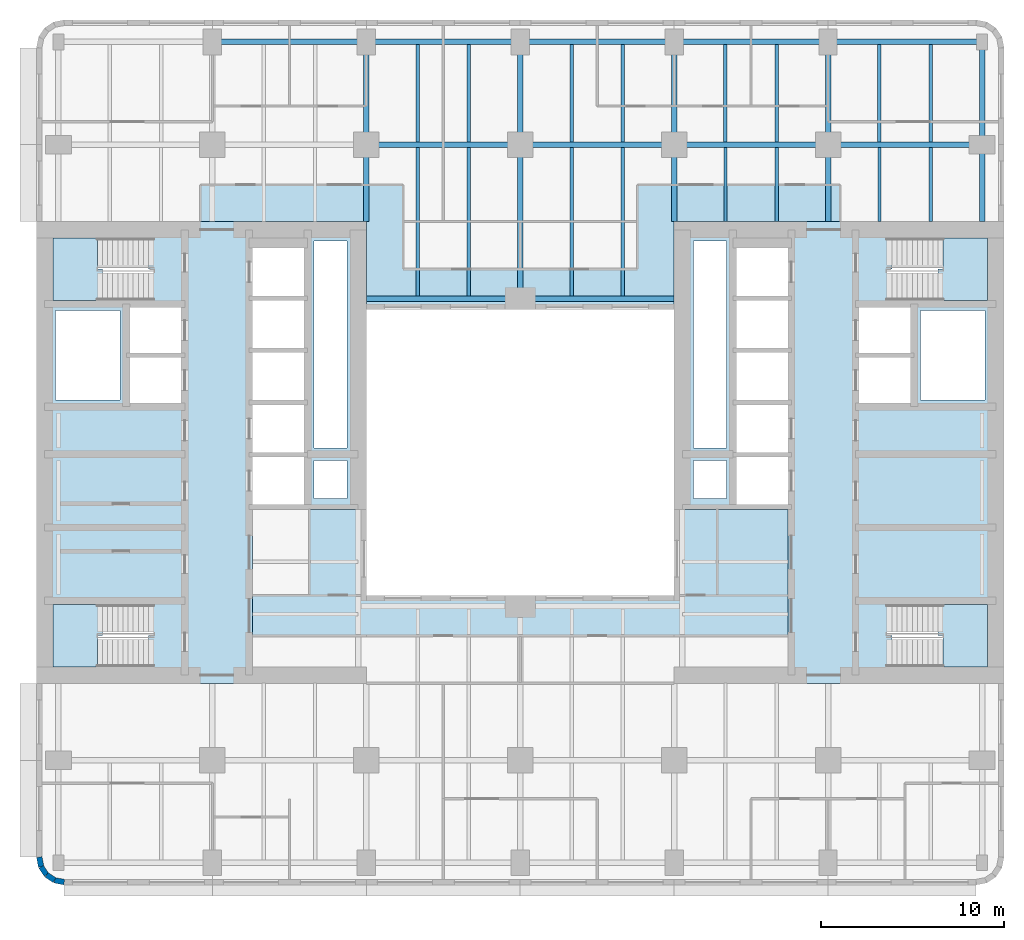
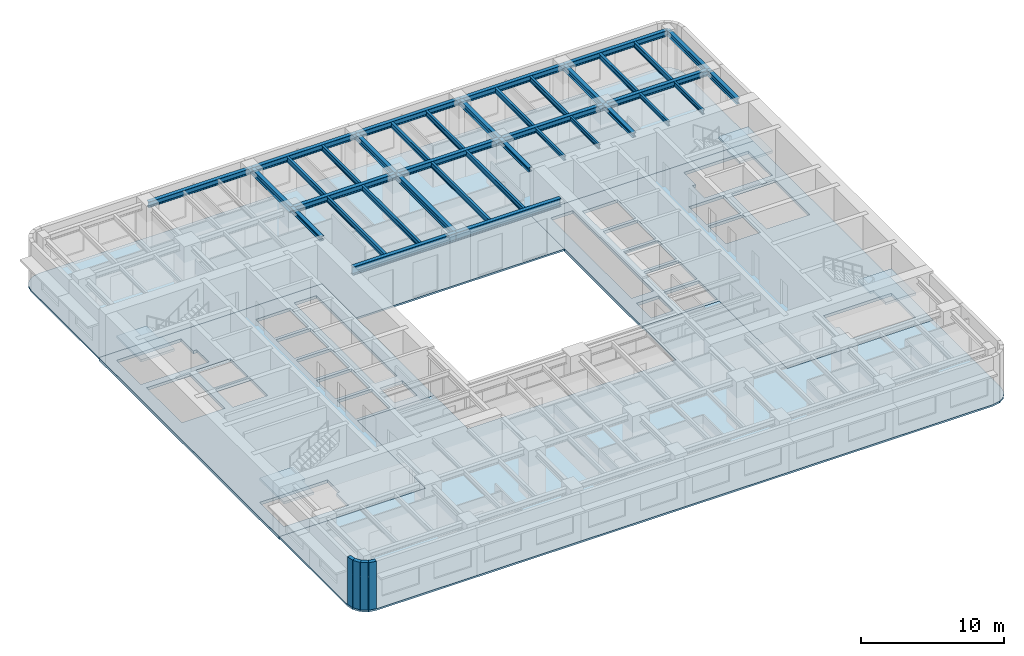
# One storey, part 2 of 11: 37 beams, 8 slabs, 4 walls, 4 elements without a shape of their own.
"""IFC4 building model written with IfcOpenShell, lengths in metres."""

from ifc_helpers import new_model, si_unit, direction, frame, frame_2d, origin, origin_2d, place, context, subcontext, project, spatial, polyline, rectangle, i_section, outline, extrude, material, layer, layer_set, material_profile, profile_set, type_object, element, aggregate, save


model = new_model("IFC4")

# Units and contexts
model_context = context("Model", 3, precision=1e-05, world=origin(), true_north=direction((0.0, 1.0)))
body_context = subcontext(model_context, "Body", "Model", "MODEL_VIEW")
ifc_project = project(units=[si_unit("LENGTHUNIT", "METRE"), si_unit("AREAUNIT", "SQUARE_METRE"), si_unit("VOLUMEUNIT", "CUBIC_METRE"), si_unit("PLANEANGLEUNIT", "RADIAN"), si_unit("MASSUNIT", "GRAM", prefix="KILO")], contexts=[model_context])

# Site, building, storey
site_placement = place(None, origin())
site = spatial("IfcSite", under=ifc_project, at=site_placement, CompositionType="ELEMENT")
building_placement = place(site_placement, origin())
building = spatial("IfcBuilding", under=site, at=building_placement, Name="Claustro Exchange Tower", CompositionType="ELEMENT")
storey_placement = place(building_placement, frame((0.0, 0.0, 155.39990234375)))
storey = spatial("IfcBuildingStorey", under=building, at=storey_placement, Name="L35", CompositionType="ELEMENT", Elevation=155.39990234375)

# Beams
ifc_material_1 = material(Name="Steel S355", Category="steel")
ifc_material_profile_1 = material_profile(ifc_material_1, i_section(OverallWidth=0.300048828125, OverallDepth=0.68994140625, WebThickness=0.014404296875, FlangeThickness=0.027099609375, FilletRadius=0.027099609375, at=origin_2d()), Name="HE 700 A")
ifc_profile_set_1 = profile_set([ifc_material_profile_1], Name="Steel S355")
beam_type_1 = type_object("IfcBeamType", Name="B13 HE 700 A light well edge girder", PredefinedType="BEAM", material=ifc_profile_set_1)
beam_1_placement = place(storey_placement, frame((16.800048828125, 33.60009765625, 3.705078125), z_axis=(1.0, 0.0, 0.0), x_axis=(0.0, 1.0, 0.0)))
element("IfcBeam", 1, at=beam_1_placement, inside=storey, type_object=beam_type_1, Name="Beam B13 L36", PredefinedType="BEAM", context=body_context, shape_type="SweptSolid", body=[
    extrude(i_section(OverallWidth=0.300048828125, OverallDepth=0.68994140625, WebThickness=0.014404296875, FlangeThickness=0.027099609375, FilletRadius=0.027099609375, at=origin_2d()), origin(), (0.0, 0.0, 1.0), 8.39990234375),
])
beam_2_placement = place(storey_placement, frame((25.199951171875, 33.60009765625, 3.705078125), z_axis=(1.0, 0.0, 0.0), x_axis=(0.0, 1.0, 0.0)))
element("IfcBeam", 2, at=beam_2_placement, inside=storey, type_object=beam_type_1, Name="Beam B13 L36", PredefinedType="BEAM", context=body_context, shape_type="SweptSolid", body=[
    extrude(i_section(OverallWidth=0.300048828125, OverallDepth=0.68994140625, WebThickness=0.014404296875, FlangeThickness=0.027099609375, FilletRadius=0.027099609375, at=origin_2d()), origin(), (0.0, 0.0, 1.0), 8.400146484375),
])
ifc_material_2 = material(Name="Steel S355", Category="steel")
ifc_material_profile_2 = material_profile(ifc_material_2, i_section(OverallWidth=0.169921875, OverallDepth=0.360107421875, WebThickness=0.008056640625, FlangeThickness=0.0126953125, FilletRadius=0.01806640625, at=origin_2d()), Name="IPE 360")
ifc_profile_set_2 = profile_set([ifc_material_profile_2], Name="Steel S355")
beam_type_2 = type_object("IfcBeamType", Name="B16 IPE 360 short-span beam", PredefinedType="BEAM", material=ifc_profile_set_2)
for number, where, z_axis, x_axis, name in (
    (3, (36.39990234375, 37.7900390625, 3.8701171875), (0.0, 1.0, 0.0), (-1.0, 0.0, 0.0), "Beam B16 L36"),
    (4, (39.199951171875, 37.7900390625, 3.8701171875), (0.0, 1.0, 0.0), (-1.0, 0.0, 0.0), "Beam B16 L36"),
    (5, (44.800048828125, 37.7900390625, 3.8701171875), (0.0, 1.0, 0.0), (-1.0, 0.0, 0.0), "Beam B16 L36"),
    (6, (47.60009765625, 37.7900390625, 3.8701171875), (0.0, 1.0, 0.0), (-1.0, 0.0, 0.0), "Beam B16 L36"),
):
    element("IfcBeam", number, at=place(storey_placement, frame(where, z_axis=z_axis, x_axis=x_axis)), inside=storey, type_object=beam_type_2, Name=name, PredefinedType="BEAM", context=body_context, shape_type="SweptSolid", body=[
        extrude(i_section(OverallWidth=0.169921875, OverallDepth=0.360107421875, WebThickness=0.008056640625, FlangeThickness=0.0126953125, FilletRadius=0.01806640625, at=origin_2d()), origin(), (0.0, 0.0, 1.0), 4.06005859375),
    ])
ifc_material_3 = material(Name="Steel S355", Category="steel")
ifc_material_profile_3 = material_profile(ifc_material_3, i_section(OverallWidth=0.300048828125, OverallDepth=0.360107421875, WebThickness=0.012451171875, FlangeThickness=0.0224609375, FilletRadius=0.027099609375, at=origin_2d()), Name="HE 360 B")
ifc_profile_set_3 = profile_set([ifc_material_profile_3], Name="Steel S355")
beam_type_3 = type_object("IfcBeamType", Name="B29 HE 360 B column to core link beam", PredefinedType="BEAM", material=ifc_profile_set_3)
for number, where, z_axis, x_axis, name in (
    (7, (16.800048828125, 37.800048828125, 3.8701171875), (0.0, 1.0, 0.0), (-1.0, 0.0, 0.0), "Beam B29 L36"),
    (8, (33.60009765625, 37.800048828125, 3.8701171875), (0.0, 1.0, 0.0), (-1.0, 0.0, 0.0), "Beam B29 L36"),
    (9, (42.0, 37.800048828125, 3.8701171875), (0.0, 1.0, 0.0), (-1.0, 0.0, 0.0), "Beam B29 L36"),
):
    element("IfcBeam", number, at=place(storey_placement, frame(where, z_axis=z_axis, x_axis=x_axis)), inside=storey, type_object=beam_type_3, Name=name, PredefinedType="BEAM", context=body_context, shape_type="SweptSolid", body=[
        extrude(i_section(OverallWidth=0.300048828125, OverallDepth=0.360107421875, WebThickness=0.012451171875, FlangeThickness=0.0224609375, FilletRadius=0.027099609375, at=origin_2d()), origin(), (0.0, 0.0, 1.0), 4.199951171875),
    ])
ifc_material_4 = material(Name="Steel S355", Category="steel")
ifc_material_profile_4 = material_profile(ifc_material_4, i_section(OverallWidth=0.300048828125, OverallDepth=0.5, WebThickness=0.014404296875, FlangeThickness=0.028076171875, FilletRadius=0.027099609375, at=origin_2d()), Name="HE 500 B")
ifc_profile_set_4 = profile_set([ifc_material_profile_4], Name="Steel S355")
beam_type_4 = type_object("IfcBeamType", Name="B7 HE 500 B floor girder", PredefinedType="BEAM", material=ifc_profile_set_4)
beam_3_placement = place(storey_placement, frame((16.800048828125, 42.0, 3.800048828125), z_axis=(0.0, 1.0, 0.0), x_axis=(-1.0, 0.0, 0.0)))
element("IfcBeam", 10, at=beam_3_placement, inside=storey, type_object=beam_type_4, Name="Beam B7 L36", PredefinedType="BEAM", context=body_context, shape_type="SweptSolid", body=[
    extrude(i_section(OverallWidth=0.300048828125, OverallDepth=0.5, WebThickness=0.014404296875, FlangeThickness=0.028076171875, FilletRadius=0.027099609375, at=origin_2d()), origin(), (0.0, 0.0, 1.0), 5.60009765625),
])
beam_4_placement = place(storey_placement, frame((25.199951171875, 33.60009765625, 3.800048828125), z_axis=(0.0, 1.0, 0.0), x_axis=(-1.0, 0.0, 0.0)))
element("IfcBeam", 11, at=beam_4_placement, inside=storey, type_object=beam_type_4, Name="Beam B7 L36", PredefinedType="BEAM", context=body_context, shape_type="SweptSolid", body=[
    extrude(i_section(OverallWidth=0.300048828125, OverallDepth=0.5, WebThickness=0.014404296875, FlangeThickness=0.028076171875, FilletRadius=0.027099609375, at=origin_2d()), origin(), (0.0, 0.0, 1.0), 8.39990234375),
])
for number, where, z_axis, x_axis, name in (
    (12, (25.199951171875, 42.0, 3.800048828125), (0.0, 1.0, 0.0), (-1.0, 0.0, 0.0), "Beam B7 L36"),
    (13, (33.60009765625, 42.0, 3.800048828125), (0.0, 1.0, 0.0), (-1.0, 0.0, 0.0), "Beam B7 L36"),
    (14, (42.0, 42.0, 3.800048828125), (0.0, 1.0, 0.0), (-1.0, 0.0, 0.0), "Beam B7 L36"),
):
    element("IfcBeam", number, at=place(storey_placement, frame(where, z_axis=z_axis, x_axis=x_axis)), inside=storey, type_object=beam_type_4, Name=name, PredefinedType="BEAM", context=body_context, shape_type="SweptSolid", body=[
        extrude(i_section(OverallWidth=0.300048828125, OverallDepth=0.5, WebThickness=0.014404296875, FlangeThickness=0.028076171875, FilletRadius=0.027099609375, at=origin_2d()), origin(), (0.0, 0.0, 1.0), 5.60009765625),
    ])
beam_5_placement = place(storey_placement, frame((16.800048828125, 42.0, 3.800048828125), z_axis=(1.0, 0.0, 0.0), x_axis=(0.0, 1.0, 0.0)))
element("IfcBeam", 15, at=beam_5_placement, inside=storey, type_object=beam_type_4, Name="Beam B7 L36", PredefinedType="BEAM", context=body_context, shape_type="SweptSolid", body=[
    extrude(i_section(OverallWidth=0.300048828125, OverallDepth=0.5, WebThickness=0.014404296875, FlangeThickness=0.028076171875, FilletRadius=0.027099609375, at=origin_2d()), origin(), (0.0, 0.0, 1.0), 8.39990234375),
])
beam_6_placement = place(storey_placement, frame((25.199951171875, 42.0, 3.800048828125), z_axis=(1.0, 0.0, 0.0), x_axis=(0.0, 1.0, 0.0)))
element("IfcBeam", 16, at=beam_6_placement, inside=storey, type_object=beam_type_4, Name="Beam B7 L36", PredefinedType="BEAM", context=body_context, shape_type="SweptSolid", body=[
    extrude(i_section(OverallWidth=0.300048828125, OverallDepth=0.5, WebThickness=0.014404296875, FlangeThickness=0.028076171875, FilletRadius=0.027099609375, at=origin_2d()), origin(), (0.0, 0.0, 1.0), 8.400146484375),
])
for number, where, z_axis, x_axis, name in (
    (17, (33.60009765625, 42.0, 3.800048828125), (1.0, 0.0, 0.0), (0.0, 1.0, 0.0), "Beam B7 L36"),
    (18, (42.0, 42.0, 3.800048828125), (1.0, 0.0, 0.0), (0.0, 1.0, 0.0), "Beam B7 L36"),
):
    element("IfcBeam", number, at=place(storey_placement, frame(where, z_axis=z_axis, x_axis=x_axis)), inside=storey, type_object=beam_type_4, Name=name, PredefinedType="BEAM", context=body_context, shape_type="SweptSolid", body=[
        extrude(i_section(OverallWidth=0.300048828125, OverallDepth=0.5, WebThickness=0.014404296875, FlangeThickness=0.028076171875, FilletRadius=0.027099609375, at=origin_2d()), origin(), (0.0, 0.0, 1.0), 8.39990234375),
    ])
ifc_material_5 = material(Name="Steel S355", Category="steel")
ifc_material_profile_5 = material_profile(ifc_material_5, i_section(OverallWidth=0.18994140625, OverallDepth=0.449951171875, WebThickness=0.009521484375, FlangeThickness=0.0146484375, FilletRadius=0.02099609375, at=origin_2d()), Name="IPE 450")
ifc_profile_set_5 = profile_set([ifc_material_profile_5], Name="Steel S355")
beam_type_5 = type_object("IfcBeamType", Name="B8 IPE 450 secondary beam", PredefinedType="BEAM", material=ifc_profile_set_5)
for number, where, z_axis, x_axis, name in (
    (19, (19.60009765625, 33.75, 3.8251953125), (0.0, 1.0, 0.0), (-1.0, 0.0, 0.0), "Beam B8 L36"),
    (20, (22.39990234375, 33.75, 3.8251953125), (0.0, 1.0, 0.0), (-1.0, 0.0, 0.0), "Beam B8 L36"),
):
    element("IfcBeam", number, at=place(storey_placement, frame(where, z_axis=z_axis, x_axis=x_axis)), inside=storey, type_object=beam_type_5, Name=name, PredefinedType="BEAM", context=body_context, shape_type="SweptSolid", body=[
        extrude(i_section(OverallWidth=0.18994140625, OverallDepth=0.449951171875, WebThickness=0.009521484375, FlangeThickness=0.0146484375, FilletRadius=0.02099609375, at=origin_2d()), origin(), (0.0, 0.0, 1.0), 8.10009765625),
    ])
for number, where, z_axis, x_axis, name in (
    (21, (19.60009765625, 42.14990234375, 3.8251953125), (0.0, 1.0, 0.0), (-1.0, 0.0, 0.0), "Beam B8 L36"),
    (22, (22.39990234375, 42.14990234375, 3.8251953125), (0.0, 1.0, 0.0), (-1.0, 0.0, 0.0), "Beam B8 L36"),
):
    element("IfcBeam", number, at=place(storey_placement, frame(where, z_axis=z_axis, x_axis=x_axis)), inside=storey, type_object=beam_type_5, Name=name, PredefinedType="BEAM", context=body_context, shape_type="SweptSolid", body=[
        extrude(i_section(OverallWidth=0.18994140625, OverallDepth=0.449951171875, WebThickness=0.009521484375, FlangeThickness=0.0146484375, FilletRadius=0.02099609375, at=origin_2d()), origin(), (0.0, 0.0, 1.0), 5.300048828125),
    ])
for number, where, z_axis, x_axis, name in (
    (23, (28.0, 33.75, 3.8251953125), (0.0, 1.0, 0.0), (-1.0, 0.0, 0.0), "Beam B8 L36"),
    (24, (30.800048828125, 33.75, 3.8251953125), (0.0, 1.0, 0.0), (-1.0, 0.0, 0.0), "Beam B8 L36"),
):
    element("IfcBeam", number, at=place(storey_placement, frame(where, z_axis=z_axis, x_axis=x_axis)), inside=storey, type_object=beam_type_5, Name=name, PredefinedType="BEAM", context=body_context, shape_type="SweptSolid", body=[
        extrude(i_section(OverallWidth=0.18994140625, OverallDepth=0.449951171875, WebThickness=0.009521484375, FlangeThickness=0.0146484375, FilletRadius=0.02099609375, at=origin_2d()), origin(), (0.0, 0.0, 1.0), 8.10009765625),
    ])
for number, where, z_axis, x_axis, name in (
    (25, (28.0, 42.14990234375, 3.8251953125), (0.0, 1.0, 0.0), (-1.0, 0.0, 0.0), "Beam B8 L36"),
    (26, (30.800048828125, 42.14990234375, 3.8251953125), (0.0, 1.0, 0.0), (-1.0, 0.0, 0.0), "Beam B8 L36"),
    (27, (36.39990234375, 42.14990234375, 3.8251953125), (0.0, 1.0, 0.0), (-1.0, 0.0, 0.0), "Beam B8 L36"),
    (28, (39.199951171875, 42.14990234375, 3.8251953125), (0.0, 1.0, 0.0), (-1.0, 0.0, 0.0), "Beam B8 L36"),
    (29, (44.800048828125, 42.14990234375, 3.8251953125), (0.0, 1.0, 0.0), (-1.0, 0.0, 0.0), "Beam B8 L36"),
    (30, (47.60009765625, 42.14990234375, 3.8251953125), (0.0, 1.0, 0.0), (-1.0, 0.0, 0.0), "Beam B8 L36"),
):
    element("IfcBeam", number, at=place(storey_placement, frame(where, z_axis=z_axis, x_axis=x_axis)), inside=storey, type_object=beam_type_5, Name=name, PredefinedType="BEAM", context=body_context, shape_type="SweptSolid", body=[
        extrude(i_section(OverallWidth=0.18994140625, OverallDepth=0.449951171875, WebThickness=0.009521484375, FlangeThickness=0.0146484375, FilletRadius=0.02099609375, at=origin_2d()), origin(), (0.0, 0.0, 1.0), 5.300048828125),
    ])
ifc_material_6 = material(Name="Steel S355", Category="steel")
ifc_material_profile_6 = material_profile(ifc_material_6, i_section(OverallWidth=0.300048828125, OverallDepth=0.489990234375, WebThickness=0.011962890625, FlangeThickness=0.02294921875, FilletRadius=0.027099609375, at=origin_2d()), Name="HE 500 A")
ifc_profile_set_6 = profile_set([ifc_material_profile_6], Name="Steel S355")
beam_type_6 = type_object("IfcBeamType", Name="B9 HE 500 A spandrel edge girder", PredefinedType="SPANDREL", material=ifc_profile_set_6)
beam_7_placement = place(storey_placement, frame((50.39990234375, 37.800048828125, 3.80517578125), z_axis=(0.0, 1.0, 0.0), x_axis=(-1.0, 0.0, 0.0)))
element("IfcBeam", 31, at=beam_7_placement, inside=storey, type_object=beam_type_6, Name="Beam B9 L36", PredefinedType="SPANDREL", context=body_context, shape_type="SweptSolid", body=[
    extrude(i_section(OverallWidth=0.300048828125, OverallDepth=0.489990234375, WebThickness=0.011962890625, FlangeThickness=0.02294921875, FilletRadius=0.027099609375, at=origin_2d()), origin(), (0.0, 0.0, 1.0), 4.199951171875),
])
beam_8_placement = place(storey_placement, frame((50.39990234375, 42.0, 3.80517578125), z_axis=(0.0, 1.0, 0.0), x_axis=(-1.0, 0.0, 0.0)))
element("IfcBeam", 32, at=beam_8_placement, inside=storey, type_object=beam_type_6, Name="Beam B9 L36", PredefinedType="SPANDREL", context=body_context, shape_type="SweptSolid", body=[
    extrude(i_section(OverallWidth=0.300048828125, OverallDepth=0.489990234375, WebThickness=0.011962890625, FlangeThickness=0.02294921875, FilletRadius=0.027099609375, at=origin_2d()), origin(), (0.0, 0.0, 1.0), 5.60009765625),
])
beam_9_placement = place(storey_placement, frame((8.39990234375, 47.60009765625, 3.80517578125), z_axis=(1.0, 0.0, 0.0), x_axis=(0.0, 1.0, 0.0)))
element("IfcBeam", 33, at=beam_9_placement, inside=storey, type_object=beam_type_6, Name="Beam B9 L36", PredefinedType="SPANDREL", context=body_context, shape_type="SweptSolid", body=[
    extrude(i_section(OverallWidth=0.300048828125, OverallDepth=0.489990234375, WebThickness=0.011962890625, FlangeThickness=0.02294921875, FilletRadius=0.027099609375, at=origin_2d()), origin(), (0.0, 0.0, 1.0), 8.400146484375),
])
beam_10_placement = place(storey_placement, frame((16.800048828125, 47.60009765625, 3.80517578125), z_axis=(1.0, 0.0, 0.0), x_axis=(0.0, 1.0, 0.0)))
element("IfcBeam", 34, at=beam_10_placement, inside=storey, type_object=beam_type_6, Name="Beam B9 L36", PredefinedType="SPANDREL", context=body_context, shape_type="SweptSolid", body=[
    extrude(i_section(OverallWidth=0.300048828125, OverallDepth=0.489990234375, WebThickness=0.011962890625, FlangeThickness=0.02294921875, FilletRadius=0.027099609375, at=origin_2d()), origin(), (0.0, 0.0, 1.0), 8.39990234375),
])
beam_11_placement = place(storey_placement, frame((25.199951171875, 47.60009765625, 3.80517578125), z_axis=(1.0, 0.0, 0.0), x_axis=(0.0, 1.0, 0.0)))
element("IfcBeam", 35, at=beam_11_placement, inside=storey, type_object=beam_type_6, Name="Beam B9 L36", PredefinedType="SPANDREL", context=body_context, shape_type="SweptSolid", body=[
    extrude(i_section(OverallWidth=0.300048828125, OverallDepth=0.489990234375, WebThickness=0.011962890625, FlangeThickness=0.02294921875, FilletRadius=0.027099609375, at=origin_2d()), origin(), (0.0, 0.0, 1.0), 8.400146484375),
])
for number, where, z_axis, x_axis, name in (
    (36, (33.60009765625, 47.60009765625, 3.80517578125), (1.0, 0.0, 0.0), (0.0, 1.0, 0.0), "Beam B9 L36"),
    (37, (42.0, 47.60009765625, 3.80517578125), (1.0, 0.0, 0.0), (0.0, 1.0, 0.0), "Beam B9 L36"),
):
    element("IfcBeam", number, at=place(storey_placement, frame(where, z_axis=z_axis, x_axis=x_axis)), inside=storey, type_object=beam_type_6, Name=name, PredefinedType="SPANDREL", context=body_context, shape_type="SweptSolid", body=[
        extrude(i_section(OverallWidth=0.300048828125, OverallDepth=0.489990234375, WebThickness=0.011962890625, FlangeThickness=0.02294921875, FilletRadius=0.027099609375, at=origin_2d()), origin(), (0.0, 0.0, 1.0), 8.39990234375),
    ])

# Slabs
ifc_material_7 = material(Name="Concrete HA-50 (C50/60)", Category="concrete")
ifc_layer_1 = layer(ifc_material_7, 0.14990234375)
ifc_layer_set_1 = layer_set([ifc_layer_1], Name="Concrete HA-50 (C50/60)")
slab_type_1 = type_object("IfcSlabType", Name="S2 150 composite floor slab", PredefinedType="FLOOR", material=ifc_layer_set_1)
slab_1_placement = place(storey_placement, frame((0.0, 0.0, -0.14990234375)))
element("IfcSlab", 38, at=slab_1_placement, inside=storey, type_object=slab_type_1, Name="Floor slab S2 S L35", PredefinedType="FLOOR", context=body_context, shape_type="SweptSolid", body=[
    extrude(outline(polyline([(-0.27392578125, 1.714111328125), (0.300048828125, 1.60009765625), (50.10009765625, 1.60009765625), (50.674072265625, 1.714111328125), (51.16064453125, 2.039306640625), (51.48583984375, 2.52587890625), (51.60009765625, 3.10009765625), (51.60009765625, 12.60009765625), (39.800048828125, 12.60009765625), (39.800048828125, 22.10009765625), (33.60009765625, 22.10009765625), (33.60009765625, 17.39990234375), (16.800048828125, 17.39990234375), (16.800048828125, 22.10009765625), (10.60009765625, 22.10009765625), (10.60009765625, 12.60009765625), (-1.199951171875, 12.60009765625), (-1.199951171875, 3.10009765625), (-1.085693359375, 2.52587890625), (-0.7607421875, 2.039306640625), (-0.27392578125, 1.714111328125)])), origin(), (0.0, 0.0, 1.0), 0.14990234375),
])
slab_2_placement = place(storey_placement, frame((0.0, 0.0, -0.14990234375)))
element("IfcSlab", 39, at=slab_2_placement, inside=storey, type_object=slab_type_1, Name="Floor slab S2 N L35", PredefinedType="FLOOR", context=body_context, shape_type="SweptSolid", body=[
    extrude(outline(polyline([(16.800048828125, 37.800048828125), (16.800048828125, 33.0), (33.60009765625, 33.0), (33.60009765625, 37.800048828125), (51.60009765625, 37.800048828125), (51.60009765625, 47.300048828125), (51.48583984375, 47.8740234375), (51.16064453125, 48.360595703125), (50.674072265625, 48.685791015625), (50.10009765625, 48.800048828125), (0.300048828125, 48.800048828125), (-0.27392578125, 48.685791015625), (-0.7607421875, 48.360595703125), (-1.085693359375, 47.8740234375), (-1.199951171875, 47.300048828125), (-1.199951171875, 37.800048828125), (16.800048828125, 37.800048828125)])), origin(), (0.0, 0.0, 1.0), 0.14990234375),
])
ifc_material_8 = material(Name="Concrete HA-50 (C50/60)", Category="concrete")
ifc_layer_2 = layer(ifc_material_8, 0.25)
ifc_layer_set_2 = layer_set([ifc_layer_2], Name="Concrete HA-50 (C50/60)")
slab_type_2 = type_object("IfcSlabType", Name="S7 250 core floor slab", PredefinedType="FLOOR", material=ifc_layer_set_2)
slab_3_placement = place(storey_placement, frame((0.0, 0.0, -0.25)))
element("IfcSlab", 40, at=slab_3_placement, inside=storey, type_object=slab_type_2, Name="Core floor slab S7 W core L35", PredefinedType="FLOOR", context=body_context, shape_type="SweptSolid", body=[
    extrude(outline(polyline([(-1.199951171875, 37.800048828125), (-1.199951171875, 12.60009765625), (10.60009765625, 12.60009765625), (10.60009765625, 22.10009765625), (16.800048828125, 22.10009765625), (16.800048828125, 37.800048828125), (-1.199951171875, 37.800048828125)]), holes=[polyline([(13.949951171875, 24.75), (15.75, 24.75), (15.75, 22.699951171875), (13.949951171875, 22.699951171875), (13.949951171875, 24.75)]), polyline([(13.949951171875, 36.75), (15.75, 36.75), (15.75, 25.449951171875), (13.949951171875, 25.449951171875), (13.949951171875, 36.75)]), polyline([(13.39990234375, 24.949951171875), (13.39990234375, 22.35009765625), (10.60009765625, 22.35009765625), (10.60009765625, 24.949951171875), (13.39990234375, 24.949951171875)]), polyline([(13.39990234375, 27.800048828125), (13.39990234375, 25.199951171875), (10.60009765625, 25.199951171875), (10.60009765625, 27.800048828125), (13.39990234375, 27.800048828125)]), polyline([(13.39990234375, 30.64990234375), (13.39990234375, 28.050048828125), (10.60009765625, 28.050048828125), (10.60009765625, 30.64990234375), (13.39990234375, 30.64990234375)]), polyline([(13.39990234375, 33.5), (13.39990234375, 30.89990234375), (10.60009765625, 30.89990234375), (10.60009765625, 33.5), (13.39990234375, 33.5)]), polyline([(13.39990234375, 36.35009765625), (13.39990234375, 33.75), (10.60009765625, 33.75), (10.60009765625, 36.35009765625), (13.39990234375, 36.35009765625)]), polyline([(6.699951171875, 30.375), (6.699951171875, 27.89990234375), (3.89990234375, 27.89990234375), (3.89990234375, 30.375), (6.699951171875, 30.375)]), polyline([(6.699951171875, 33.10009765625), (6.699951171875, 30.625), (3.89990234375, 30.625), (3.89990234375, 33.10009765625), (6.699951171875, 33.10009765625)]), polyline([(-0.300048828125, 15.199951171875), (-0.300048828125, 16.89990234375), (5.195068359375, 16.89990234375), (5.195068359375, 15.199951171875), (4.919921875, 15.199951171875), (4.919921875, 13.5), (-0.300048828125, 13.5), (-0.300048828125, 15.199951171875)]), polyline([(-0.300048828125, 35.199951171875), (-0.300048828125, 36.89990234375), (4.919921875, 36.89990234375), (4.919921875, 35.199951171875), (5.195068359375, 35.199951171875), (5.195068359375, 33.5), (-0.300048828125, 33.5), (-0.300048828125, 35.199951171875)]), polyline([(-0.14990234375, 32.949951171875), (3.35009765625, 32.949951171875), (3.35009765625, 28.050048828125), (-0.14990234375, 28.050048828125), (-0.14990234375, 32.949951171875)])]), origin(), (0.0, 0.0, 1.0), 0.25),
])
slab_4_placement = place(storey_placement, frame((0.0, 0.0, -0.25)))
element("IfcSlab", 41, at=slab_4_placement, inside=storey, type_object=slab_type_2, Name="Core floor slab S7 E core L35", PredefinedType="FLOOR", context=body_context, shape_type="SweptSolid", body=[
    extrude(outline(polyline([(51.60009765625, 37.800048828125), (33.60009765625, 37.800048828125), (33.60009765625, 22.10009765625), (39.800048828125, 22.10009765625), (39.800048828125, 12.60009765625), (51.60009765625, 12.60009765625), (51.60009765625, 37.800048828125)]), holes=[polyline([(45.47998046875, 15.199951171875), (45.205078125, 15.199951171875), (45.205078125, 16.89990234375), (50.699951171875, 16.89990234375), (50.699951171875, 15.199951171875), (50.699951171875, 13.5), (45.47998046875, 13.5), (45.47998046875, 15.199951171875)]), polyline([(45.47998046875, 35.199951171875), (45.47998046875, 36.89990234375), (50.699951171875, 36.89990234375), (50.699951171875, 35.199951171875), (50.699951171875, 33.5), (45.205078125, 33.5), (45.205078125, 35.199951171875), (45.47998046875, 35.199951171875)]), polyline([(50.550048828125, 32.949951171875), (50.550048828125, 28.050048828125), (47.050048828125, 28.050048828125), (47.050048828125, 32.949951171875), (50.550048828125, 32.949951171875)]), polyline([(43.699951171875, 33.10009765625), (46.5, 33.10009765625), (46.5, 30.625), (43.699951171875, 30.625), (43.699951171875, 33.10009765625)]), polyline([(46.5, 30.375), (46.5, 27.89990234375), (43.699951171875, 27.89990234375), (43.699951171875, 30.375), (46.5, 30.375)]), polyline([(37.0, 24.949951171875), (39.800048828125, 24.949951171875), (39.800048828125, 22.35009765625), (37.0, 22.35009765625), (37.0, 24.949951171875)]), polyline([(37.0, 30.64990234375), (39.800048828125, 30.64990234375), (39.800048828125, 28.050048828125), (37.0, 28.050048828125), (37.0, 30.64990234375)]), polyline([(39.800048828125, 27.800048828125), (39.800048828125, 25.199951171875), (37.0, 25.199951171875), (37.0, 27.800048828125), (39.800048828125, 27.800048828125)]), polyline([(39.800048828125, 33.5), (39.800048828125, 30.89990234375), (37.0, 30.89990234375), (37.0, 33.5), (39.800048828125, 33.5)]), polyline([(39.800048828125, 36.35009765625), (39.800048828125, 33.75), (37.0, 33.75), (37.0, 36.35009765625), (39.800048828125, 36.35009765625)]), polyline([(36.449951171875, 24.75), (36.449951171875, 22.699951171875), (34.64990234375, 22.699951171875), (34.64990234375, 24.75), (36.449951171875, 24.75)]), polyline([(36.449951171875, 36.75), (36.449951171875, 25.449951171875), (34.64990234375, 25.449951171875), (34.64990234375, 36.75), (36.449951171875, 36.75)])]), origin(), (0.0, 0.0, 1.0), 0.25),
])

# Stair, slab
ifc_material_9 = material(Name="Concrete HA-30 (C30/37), precast", Category="concrete")
stair_type = type_object("IfcStairType", Name="ST1 half-turn stair, 24 risers of 175", PredefinedType="HALF_TURN_STAIR", material=ifc_material_9)
stair_1_placement = place(storey_placement, origin())
stair_1 = element("IfcStair", 42, at=stair_1_placement, inside=storey, type_object=stair_type, Name="Stair STWA L35", PredefinedType="HALF_TURN_STAIR")
ifc_material_10 = material(Name="Concrete HA-30 (C30/37), precast", Category="concrete")
ifc_layer_3 = layer(ifc_material_10, 0.199951171875)
ifc_layer_set_3 = layer_set([ifc_layer_3], Name="Concrete HA-30 (C30/37), precast")
slab_type_3 = type_object("IfcSlabType", Name="S9 200 stair landing", PredefinedType="LANDING", material=ifc_layer_set_3)
slab_5_placement = place(storey_placement, frame((0.0, 0.0, 1.900146484375)))
slab_5 = element("IfcSlab", 43, at=slab_5_placement, type_object=slab_type_3, Name="STWA landing 1", PredefinedType="LANDING", context=body_context, shape_type="SweptSolid", body=[
    extrude(outline(polyline([(2.125, 13.5), (-0.300048828125, 13.5), (-0.300048828125, 16.89990234375), (2.1201171875, 16.89990234375), (2.125, 16.89990234375), (2.39990234375, 16.89990234375), (2.39990234375, 15.199951171875), (2.125, 15.199951171875), (2.125, 13.5)])), origin(), (0.0, 0.0, 1.0), 0.199951171875),
])
aggregate(stair_1, [slab_5])

stair_2_placement = place(storey_placement, origin())
stair_2 = element("IfcStair", 44, at=stair_2_placement, inside=storey, type_object=stair_type, Name="Stair STWB L35", PredefinedType="HALF_TURN_STAIR")
slab_6_placement = place(storey_placement, frame((0.0, 0.0, 1.900146484375)))
slab_6 = element("IfcSlab", 45, at=slab_6_placement, type_object=slab_type_3, Name="STWB landing 1", PredefinedType="LANDING", context=body_context, shape_type="SweptSolid", body=[
    extrude(outline(polyline([(2.39990234375, 35.199951171875), (2.39990234375, 33.5), (2.125, 33.5), (2.1201171875, 33.5), (-0.300048828125, 33.5), (-0.300048828125, 36.89990234375), (2.125, 36.89990234375), (2.125, 35.199951171875), (2.39990234375, 35.199951171875)])), origin(), (0.0, 0.0, 1.0), 0.199951171875),
])
aggregate(stair_2, [slab_6])

stair_3_placement = place(storey_placement, origin())
stair_3 = element("IfcStair", 46, at=stair_3_placement, inside=storey, type_object=stair_type, Name="Stair STEA L35", PredefinedType="HALF_TURN_STAIR")
slab_7_placement = place(storey_placement, frame((0.0, 0.0, 1.900146484375)))
slab_7 = element("IfcSlab", 47, at=slab_7_placement, type_object=slab_type_3, Name="STEA landing 1", PredefinedType="LANDING", context=body_context, shape_type="SweptSolid", body=[
    extrude(outline(polyline([(50.699951171875, 16.89990234375), (50.699951171875, 13.5), (48.27490234375, 13.5), (48.27490234375, 15.199951171875), (48.0, 15.199951171875), (48.0, 16.89990234375), (48.27490234375, 16.89990234375), (48.280029296875, 16.89990234375), (50.699951171875, 16.89990234375)])), origin(), (0.0, 0.0, 1.0), 0.199951171875),
])
aggregate(stair_3, [slab_7])

stair_4_placement = place(storey_placement, origin())
stair_4 = element("IfcStair", 48, at=stair_4_placement, inside=storey, type_object=stair_type, Name="Stair STEB L35", PredefinedType="HALF_TURN_STAIR")
slab_8_placement = place(storey_placement, frame((0.0, 0.0, 1.900146484375)))
slab_8 = element("IfcSlab", 49, at=slab_8_placement, type_object=slab_type_3, Name="STEB landing 1", PredefinedType="LANDING", context=body_context, shape_type="SweptSolid", body=[
    extrude(outline(polyline([(48.0, 33.5), (48.0, 35.199951171875), (48.27490234375, 35.199951171875), (48.27490234375, 36.89990234375), (50.699951171875, 36.89990234375), (50.699951171875, 33.5), (48.280029296875, 33.5), (48.27490234375, 33.5), (48.0, 33.5)])), origin(), (0.0, 0.0, 1.0), 0.199951171875),
])
aggregate(stair_4, [slab_8])

# Walls
ifc_material_11 = material(Name="Concrete HA-40 (C40/50), precast, white cement, acid-etched", Category="concrete")
ifc_layer_4 = layer(ifc_material_11, 0.300048828125)
ifc_layer_set_4 = layer_set([ifc_layer_4], Name="Concrete HA-40 (C40/50), precast, white cement, acid-etched")
wall_type = type_object("IfcWallType", Name="PC1 300 precast concrete pier panel", PredefinedType="SOLIDWALL", material=ifc_layer_set_4)
wall_1_placement = place(storey_placement, frame((0.314697265625, 1.75, 0.0), z_axis=(0.0, 0.0, 1.0), x_axis=(-0.980788534345, 0.195073962632, 0.0)))
element("IfcWall", 50, at=wall_1_placement, inside=storey, type_object=wall_type, Name="Precast pier panel PC1 L35", PredefinedType="SOLIDWALL", context=body_context, shape_type="SweptSolid", body=[
    extrude(rectangle(XDim=0.540771484375, YDim=0.300048828125, at=frame_2d((0.2705078125, 0.0))), origin(), (0.0, 0.0, 1.0), 4.050048828125),
])
for number, where, z_axis, x_axis, name in (
    (51, (-0.215576171875, 1.85546875, 0.0), (0.0, 0.0, 1.0), (-0.831478144188, 0.555557463938, 0.0), "Precast pier panel PC1 L35"),
    (52, (-0.652587890625, 2.1474609375, 0.0), (0.0, 0.0, 1.0), (-0.555557463938, 0.831478144188, 0.0), "Precast pier panel PC1 L35"),
):
    element("IfcWall", number, at=place(storey_placement, frame(where, z_axis=z_axis, x_axis=x_axis)), inside=storey, type_object=wall_type, Name=name, PredefinedType="SOLIDWALL", context=body_context, shape_type="SweptSolid", body=[
        extrude(rectangle(XDim=0.525634765625, YDim=0.300048828125, at=frame_2d((0.2626953125, 0.0))), origin(), (0.0, 0.0, 1.0), 4.050048828125),
    ])
wall_2_placement = place(storey_placement, frame((-0.944580078125, 2.58447265625, 0.0), z_axis=(0.0, 0.0, 1.0), x_axis=(-0.195073962632, 0.980788534345, 0.0)))
element("IfcWall", 53, at=wall_2_placement, inside=storey, type_object=wall_type, Name="Precast pier panel PC1 L35", PredefinedType="SOLIDWALL", context=body_context, shape_type="SweptSolid", body=[
    extrude(rectangle(XDim=0.540771484375, YDim=0.300048828125, at=frame_2d((0.2705078125, 0.0))), origin(), (0.0, 0.0, 1.0), 4.050048828125),
])

save(model, "model.ifc")
